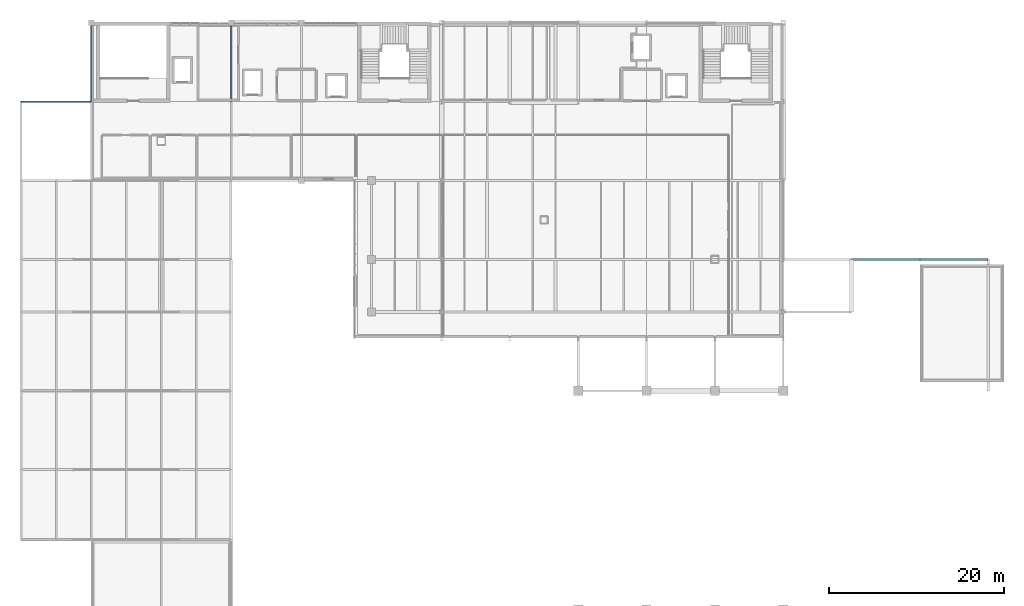
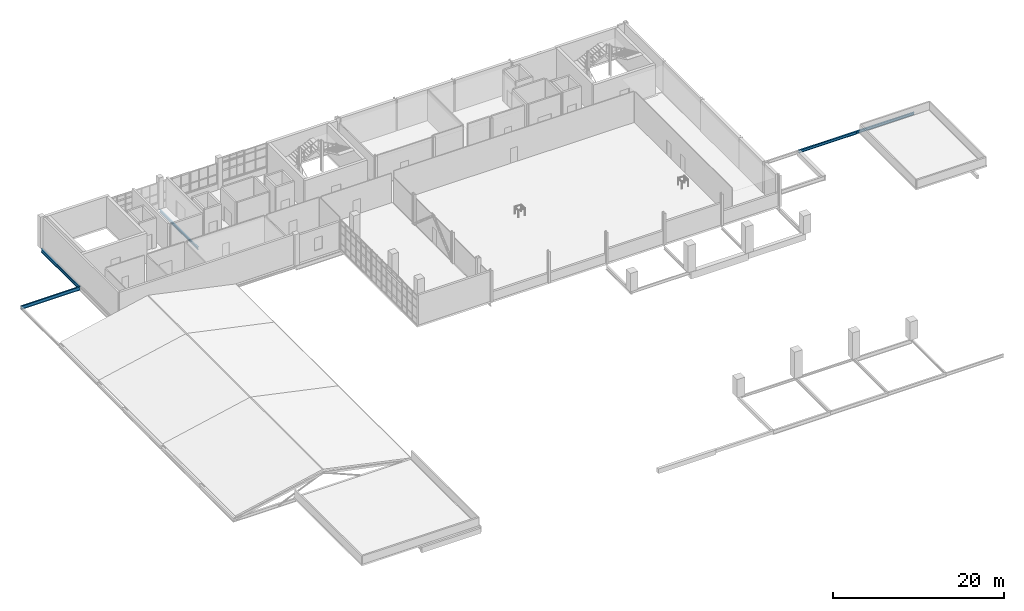
# One storey, part 14 of 38: 5 beams.
"""IFC4 building model written with IfcOpenShell, lengths in metres."""

from ifc_helpers import new_model, si_unit, derived_unit, direction, frame, origin, origin_2d, place, context, subcontext, project, spatial, i_section, extrude, material, material_profile, profile_set, type_object, element, save


model = new_model("IFC4")

# Units and contexts
model_context = context("Model", 3, precision=1e-05, world=origin(), true_north=direction((0.0, 1.0)))
body_context = subcontext(model_context, "Body", "Model", "MODEL_VIEW")
ifc_project = project(units=[si_unit("LENGTHUNIT", "METRE"), si_unit("AREAUNIT", "SQUARE_METRE"), si_unit("VOLUMEUNIT", "CUBIC_METRE"), si_unit("PLANEANGLEUNIT", "RADIAN"), si_unit("MASSUNIT", "GRAM", prefix="KILO"), derived_unit("THERMALTRANSMITTANCEUNIT", [(si_unit("POWERUNIT", "WATT"), 1), (si_unit("LENGTHUNIT", "METRE"), -2), (si_unit("THERMODYNAMICTEMPERATUREUNIT", "KELVIN"), -1)])], contexts=[model_context])

# Site, building, storey
site_placement = place(None, origin())
site = spatial("IfcSite", under=ifc_project, at=site_placement, CompositionType="ELEMENT")
building_placement = place(site_placement, origin())
building = spatial("IfcBuilding", under=site, at=building_placement, Name="Nallur Shell Playhouse", CompositionType="ELEMENT")
storey_placement = place(building_placement, frame((0.0, 0.0, 24.300048828125)))
storey = spatial("IfcBuildingStorey", under=building, at=storey_placement, Name="L06", CompositionType="ELEMENT", Elevation=24.300048828125)

# Beams
ifc_material = material(Name="Steel E350", Category="steel")
ifc_material_profile_1 = material_profile(ifc_material, i_section(OverallWidth=0.179931640625, OverallDepth=0.5, WebThickness=0.01025390625, FlangeThickness=0.01708984375, FilletRadius=0.01708984375, at=origin_2d()), Name="ISMB 500")
ifc_profile_set_1 = profile_set([ifc_material_profile_1], Name="Steel E350")
beam_type_1 = type_object("IfcBeamType", Name="BM-ST-ISMB500", PredefinedType="BEAM", material=ifc_profile_set_1)
beam_1_placement = place(storey_placement, frame((16.0, 74.0, -0.5), z_axis=(1.0, 0.0, 0.0), x_axis=(0.0, 1.0, 0.0)))
element("IfcBeam", 1, at=beam_1_placement, inside=storey, type_object=beam_type_1, Name="L06 girder X-J-1146", PredefinedType="BEAM", context=body_context, shape_type="SweptSolid", body=[
    extrude(i_section(OverallWidth=0.179931640625, OverallDepth=0.5, WebThickness=0.01025390625, FlangeThickness=0.01708984375, FilletRadius=0.01708984375, at=origin_2d()), origin(), (0.0, 0.0, 1.0), 8.0),
])
beam_2_placement = place(storey_placement, frame((24.0, 74.0, -0.5), z_axis=(0.0, 1.0, 0.0), x_axis=(-1.0, 0.0, 0.0)))
element("IfcBeam", 2, at=beam_2_placement, inside=storey, type_object=beam_type_1, Name="L06 girder Y-3-1162", PredefinedType="BEAM", context=body_context, shape_type="SweptSolid", body=[
    extrude(i_section(OverallWidth=0.179931640625, OverallDepth=0.5, WebThickness=0.01025390625, FlangeThickness=0.01708984375, FilletRadius=0.01708984375, at=origin_2d()), origin(), (0.0, 0.0, 1.0), 9.0),
])
ifc_material_profile_2 = material_profile(ifc_material, i_section(OverallWidth=0.199951171875, OverallDepth=0.35009765625, WebThickness=0.008056640625, FlangeThickness=0.011474609375, FilletRadius=0.011962890625, at=origin_2d()), Name="ISWB 350")
ifc_profile_set_2 = profile_set([ifc_material_profile_2], Name="Steel E350")
beam_type_2 = type_object("IfcBeamType", Name="BM-ST-ISWB350", PredefinedType="BEAM", material=ifc_profile_set_2)
beam_3_placement = place(storey_placement, frame((118.60009765625, 56.0, -0.425048828125), z_axis=(1.0, 0.0, 0.0), x_axis=(0.0, 1.0, 0.0)))
element("IfcBeam", 3, at=beam_3_placement, inside=storey, type_object=beam_type_2, Name="L06 girder X-G-1142", PredefinedType="BEAM", context=body_context, shape_type="SweptSolid", body=[
    extrude(i_section(OverallWidth=0.199951171875, OverallDepth=0.35009765625, WebThickness=0.008056640625, FlangeThickness=0.011474609375, FilletRadius=0.011962890625, at=origin_2d()), origin(), (0.0, 0.0, 1.0), 7.7998046875),
])
beam_4_placement = place(storey_placement, frame((40.0, 74.0, -0.425048828125), z_axis=(0.0, 1.0, 0.0), x_axis=(-1.0, 0.0, 0.0)))
element("IfcBeam", 4, at=beam_4_placement, inside=storey, type_object=beam_type_2, Name="L06 girder Y-5-1174", PredefinedType="BEAM", context=body_context, shape_type="SweptSolid", body=[
    extrude(i_section(OverallWidth=0.199951171875, OverallDepth=0.35009765625, WebThickness=0.008056640625, FlangeThickness=0.011474609375, FilletRadius=0.011962890625, at=origin_2d()), origin(), (0.0, 0.0, 1.0), 9.0),
])
ifc_material_profile_3 = material_profile(ifc_material, i_section(OverallWidth=0.199951171875, OverallDepth=0.39990234375, WebThickness=0.008544921875, FlangeThickness=0.012939453125, FilletRadius=0.012939453125, at=origin_2d()), Name="ISWB 400")
ifc_profile_set_3 = profile_set([ifc_material_profile_3], Name="Steel E350")
beam_type_3 = type_object("IfcBeamType", Name="BM-ST-ISWB400", PredefinedType="BEAM", material=ifc_profile_set_3)
beam_5_placement = place(storey_placement, frame((110.800048828125, 56.0, -0.449951171875), z_axis=(1.0, 0.0, 0.0), x_axis=(0.0, 1.0, 0.0)))
element("IfcBeam", 5, at=beam_5_placement, inside=storey, type_object=beam_type_3, Name="L06 girder X-G-1141", PredefinedType="BEAM", context=body_context, shape_type="SweptSolid", body=[
    extrude(i_section(OverallWidth=0.199951171875, OverallDepth=0.39990234375, WebThickness=0.008544921875, FlangeThickness=0.012939453125, FilletRadius=0.012939453125, at=origin_2d()), origin(), (0.0, 0.0, 1.0), 7.800048828125),
])

save(model, "model.ifc")
